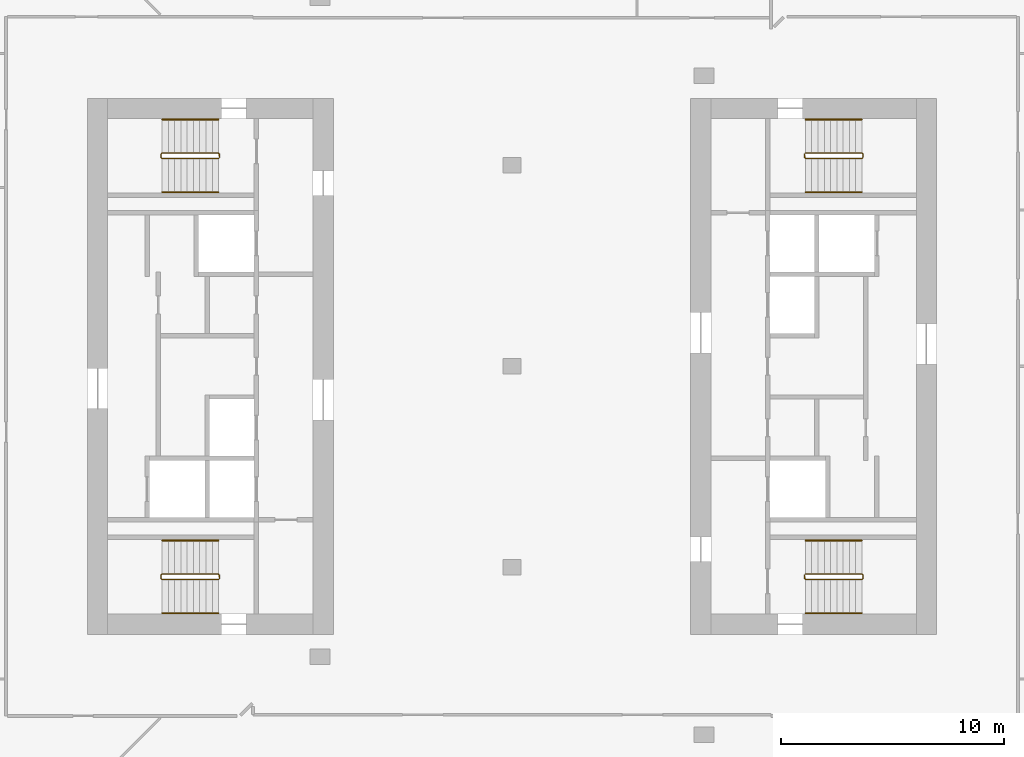
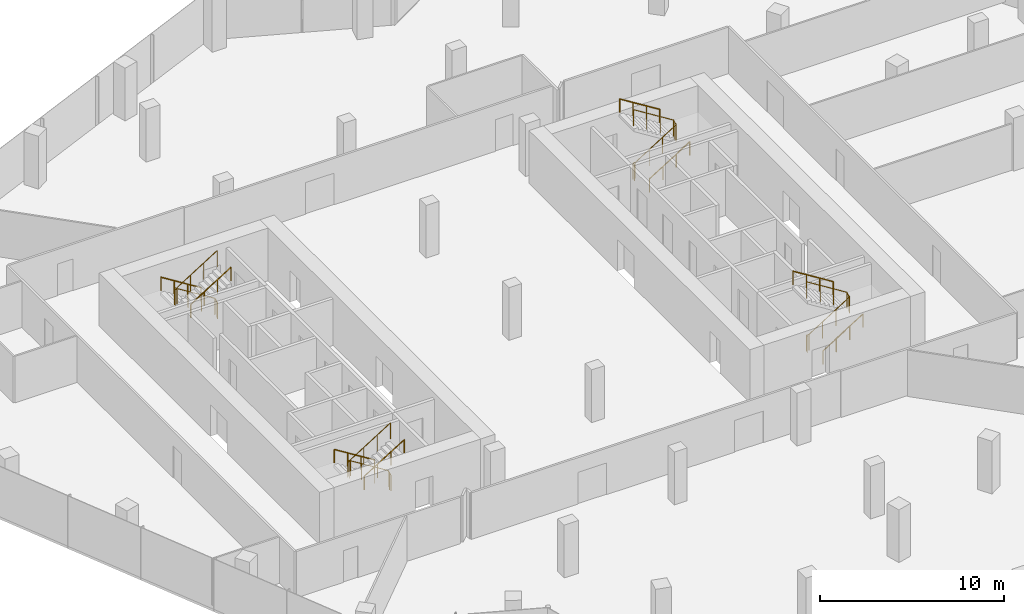
# One storey, part 15 of 15: 12 railings.
"""IFC4 building model written with IfcOpenShell, lengths in metres."""

from ifc_helpers import new_model, si_unit, direction, frame, origin, origin_2d, place, context, subcontext, project, spatial, circle, extrude, material, type_object, element, save


model = new_model("IFC4")

# Units and contexts
model_context = context("Model", 3, precision=1e-05, world=origin(), true_north=direction((0.0, 1.0)))
body_context = subcontext(model_context, "Body", "Model", "MODEL_VIEW")
ifc_project = project(units=[si_unit("LENGTHUNIT", "METRE"), si_unit("AREAUNIT", "SQUARE_METRE"), si_unit("VOLUMEUNIT", "CUBIC_METRE"), si_unit("PLANEANGLEUNIT", "RADIAN"), si_unit("MASSUNIT", "GRAM", prefix="KILO")], contexts=[model_context])

# Site, building, storey
site_placement = place(None, origin())
site = spatial("IfcSite", under=ifc_project, at=site_placement, CompositionType="ELEMENT")
building_placement = place(site_placement, origin())
building = spatial("IfcBuilding", under=site, at=building_placement, Name="Orlundy Tower", CompositionType="ELEMENT")
storey_placement = place(building_placement, frame((0.0, 0.0, 278.89990234375)))
storey = spatial("IfcBuildingStorey", under=building, at=storey_placement, Name="L74", CompositionType="ELEMENT", Elevation=278.89990234375)

# Railings
ifc_material_1 = material(Name="Steel balustrade", Category="steel")
railing_type_1 = type_object("IfcRailingType", Name="Stair Guard 1100", PredefinedType="GUARDRAIL", material=ifc_material_1)
railing_1_placement = place(storey_placement, frame((-13.090087890625, 9.5, 0.0)))
element("IfcRailing", 1, at=railing_1_placement, inside=storey, type_object=railing_type_1, Name="L74 ST-W1 stair guard 1", PredefinedType="GUARDRAIL", context=body_context, shape_type="SweptSolid", body=[
    extrude(circle(Radius=0.02392578125, at=origin_2d()), frame((0.0, 0.0, 1.076171875), z_axis=(0.0, -1.0, 0.0), x_axis=(1.0, 0.0, 0.0)), (0.0, 0.0, 1.0), 0.14990234375),
    extrude(circle(Radius=0.02392578125, at=origin_2d()), frame((0.0, -0.14990234375, 1.076171875), z_axis=(-0.18420542264, 0.739530593833, 0.647427882513), x_axis=(-0.970351222016, -0.241699205484, 0.0)), (0.0, 0.0, 1.0), 0.270263671875),
    extrude(circle(Radius=0.02392578125, at=origin_2d()), frame((-0.0498046875, 0.050048828125, 1.2509765625), z_axis=(-0.848007534815, 0.0, 0.529984170421), x_axis=(0.0, -1.0, 0.0)), (0.0, 0.0, 1.0), 2.9716796875),
    extrude(circle(Radius=0.02392578125, at=origin_2d()), frame((-2.56982421875, 0.050048828125, 2.826171875), z_axis=(-0.707106781187, -0.707106781187, 0.0), x_axis=(0.707106781187, -0.707106781187, 0.0)), (0.0, 0.0, 1.0), 0.07080078125),
    extrude(circle(Radius=0.02392578125, at=origin_2d()), frame((-2.619873046875, 0.0, 2.826171875), z_axis=(0.0, -1.0, 0.0), x_axis=(1.0, 0.0, 0.0)), (0.0, 0.0, 1.0), 0.14990234375),
    extrude(circle(Radius=0.02392578125, at=origin_2d()), frame((-2.619873046875, -0.14990234375, 2.826171875), z_axis=(0.265065253269, -0.265065253269, 0.927081885822), x_axis=(0.707106781187, 0.707106781187, 0.0)), (0.0, 0.0, 1.0), 0.188720703125),
    extrude(circle(Radius=0.02392578125, at=origin_2d()), frame((-2.56982421875, -0.199951171875, 3.0009765625), z_axis=(0.848007534815, 0.0, 0.529984170421), x_axis=(0.0, 1.0, 0.0)), (0.0, 0.0, 1.0), 2.9716796875),
    extrude(circle(Radius=0.02099609375, at=origin_2d()), origin(), (0.0, 0.0, 1.0), 1.052001953125),
    extrude(circle(Radius=0.02099609375, at=origin_2d()), frame((0.0, -0.14990234375, 0.0)), (0.0, 0.0, 1.0), 1.052001953125),
    extrude(circle(Radius=0.02099609375, at=origin_2d()), frame((-0.0498046875, 0.050048828125, 0.175048828125)), (0.0, 0.0, 1.0), 1.052001953125),
    extrude(circle(Radius=0.02099609375, at=origin_2d()), frame((-0.889892578125, 0.050048828125, 0.699951171875)), (0.0, 0.0, 1.0), 1.052001953125),
    extrude(circle(Radius=0.02099609375, at=origin_2d()), frame((-1.729736328125, 0.050048828125, 1.22509765625)), (0.0, 0.0, 1.0), 1.052001953125),
    extrude(circle(Radius=0.02099609375, at=origin_2d()), frame((-2.56982421875, 0.050048828125, 1.75)), (0.0, 0.0, 1.0), 1.052001953125),
    extrude(circle(Radius=0.02099609375, at=origin_2d()), frame((-2.619873046875, 0.0, 1.75)), (0.0, 0.0, 1.0), 1.052001953125),
    extrude(circle(Radius=0.02099609375, at=origin_2d()), frame((-2.619873046875, -0.14990234375, 1.75)), (0.0, 0.0, 1.0), 1.052001953125),
    extrude(circle(Radius=0.02099609375, at=origin_2d()), frame((-2.56982421875, -0.199951171875, 1.925048828125)), (0.0, 0.0, 1.0), 1.052001953125),
    extrude(circle(Radius=0.02099609375, at=origin_2d()), frame((-1.729736328125, -0.199951171875, 2.449951171875)), (0.0, 0.0, 1.0), 1.052001953125),
    extrude(circle(Radius=0.02099609375, at=origin_2d()), frame((-0.889892578125, -0.199951171875, 2.97509765625)), (0.0, 0.0, 1.0), 1.052001953125),
    extrude(circle(Radius=0.02099609375, at=origin_2d()), frame((-0.0498046875, -0.199951171875, 3.5)), (0.0, 0.0, 1.0), 1.052001953125),
])
railing_2_placement = place(storey_placement, frame((-13.090087890625, -9.35009765625, 0.0)))
element("IfcRailing", 2, at=railing_2_placement, inside=storey, type_object=railing_type_1, Name="L74 ST-W2 stair guard 1", PredefinedType="GUARDRAIL", context=body_context, shape_type="SweptSolid", body=[
    extrude(circle(Radius=0.02392578125, at=origin_2d()), frame((0.0, 0.0, 1.076171875), z_axis=(0.0, -1.0, 0.0), x_axis=(1.0, 0.0, 0.0)), (0.0, 0.0, 1.0), 0.14990234375),
    extrude(circle(Radius=0.02392578125, at=origin_2d()), frame((0.0, -0.14990234375, 1.076171875), z_axis=(-0.18420542264, 0.739530593833, 0.647427882513), x_axis=(-0.970351222016, -0.241699205484, 0.0)), (0.0, 0.0, 1.0), 0.270263671875),
    extrude(circle(Radius=0.02392578125, at=origin_2d()), frame((-0.0498046875, 0.050048828125, 1.2509765625), z_axis=(-0.848007534815, 0.0, 0.529984170421), x_axis=(0.0, -1.0, 0.0)), (0.0, 0.0, 1.0), 2.9716796875),
    extrude(circle(Radius=0.02392578125, at=origin_2d()), frame((-2.56982421875, 0.050048828125, 2.826171875), z_axis=(-0.707106781187, -0.707106781187, 0.0), x_axis=(0.707106781187, -0.707106781187, 0.0)), (0.0, 0.0, 1.0), 0.07080078125),
    extrude(circle(Radius=0.02392578125, at=origin_2d()), frame((-2.619873046875, 0.0, 2.826171875), z_axis=(0.0, -1.0, 0.0), x_axis=(1.0, 0.0, 0.0)), (0.0, 0.0, 1.0), 0.14990234375),
    extrude(circle(Radius=0.02392578125, at=origin_2d()), frame((-2.619873046875, -0.14990234375, 2.826171875), z_axis=(0.265065253269, -0.265065253269, 0.927081885822), x_axis=(0.707106781187, 0.707106781187, 0.0)), (0.0, 0.0, 1.0), 0.188720703125),
    extrude(circle(Radius=0.02392578125, at=origin_2d()), frame((-2.56982421875, -0.199951171875, 3.0009765625), z_axis=(0.848007534815, 0.0, 0.529984170421), x_axis=(0.0, 1.0, 0.0)), (0.0, 0.0, 1.0), 2.9716796875),
    extrude(circle(Radius=0.02099609375, at=origin_2d()), origin(), (0.0, 0.0, 1.0), 1.052001953125),
    extrude(circle(Radius=0.02099609375, at=origin_2d()), frame((0.0, -0.14990234375, 0.0)), (0.0, 0.0, 1.0), 1.052001953125),
    extrude(circle(Radius=0.02099609375, at=origin_2d()), frame((-0.0498046875, 0.050048828125, 0.175048828125)), (0.0, 0.0, 1.0), 1.052001953125),
    extrude(circle(Radius=0.02099609375, at=origin_2d()), frame((-0.889892578125, 0.050048828125, 0.699951171875)), (0.0, 0.0, 1.0), 1.052001953125),
    extrude(circle(Radius=0.02099609375, at=origin_2d()), frame((-1.729736328125, 0.050048828125, 1.22509765625)), (0.0, 0.0, 1.0), 1.052001953125),
    extrude(circle(Radius=0.02099609375, at=origin_2d()), frame((-2.56982421875, 0.050048828125, 1.75)), (0.0, 0.0, 1.0), 1.052001953125),
    extrude(circle(Radius=0.02099609375, at=origin_2d()), frame((-2.619873046875, 0.0, 1.75)), (0.0, 0.0, 1.0), 1.052001953125),
    extrude(circle(Radius=0.02099609375, at=origin_2d()), frame((-2.619873046875, -0.14990234375, 1.75)), (0.0, 0.0, 1.0), 1.052001953125),
    extrude(circle(Radius=0.02099609375, at=origin_2d()), frame((-2.56982421875, -0.199951171875, 1.925048828125)), (0.0, 0.0, 1.0), 1.052001953125),
    extrude(circle(Radius=0.02099609375, at=origin_2d()), frame((-1.729736328125, -0.199951171875, 2.449951171875)), (0.0, 0.0, 1.0), 1.052001953125),
    extrude(circle(Radius=0.02099609375, at=origin_2d()), frame((-0.889892578125, -0.199951171875, 2.97509765625)), (0.0, 0.0, 1.0), 1.052001953125),
    extrude(circle(Radius=0.02099609375, at=origin_2d()), frame((-0.0498046875, -0.199951171875, 3.5)), (0.0, 0.0, 1.0), 1.052001953125),
])
railing_3_placement = place(storey_placement, frame((13.090087890625, -9.5, 0.0)))
element("IfcRailing", 3, at=railing_3_placement, inside=storey, type_object=railing_type_1, Name="L74 ST-E1 stair guard 1", PredefinedType="GUARDRAIL", context=body_context, shape_type="SweptSolid", body=[
    extrude(circle(Radius=0.02392578125, at=origin_2d()), frame((0.0, 0.0, 1.076171875), z_axis=(0.0, 1.0, 0.0), x_axis=(-1.0, 0.0, 0.0)), (0.0, 0.0, 1.0), 0.14990234375),
    extrude(circle(Radius=0.02392578125, at=origin_2d()), frame((0.0, 0.14990234375, 1.076171875), z_axis=(0.18420542264, -0.739530593833, 0.647427882513), x_axis=(0.970351222016, 0.241699205484, 0.0)), (0.0, 0.0, 1.0), 0.270263671875),
    extrude(circle(Radius=0.02392578125, at=origin_2d()), frame((0.0498046875, -0.050048828125, 1.2509765625), z_axis=(0.848007534815, 0.0, 0.529984170421), x_axis=(0.0, 1.0, 0.0)), (0.0, 0.0, 1.0), 2.9716796875),
    extrude(circle(Radius=0.02392578125, at=origin_2d()), frame((2.56982421875, -0.050048828125, 2.826171875), z_axis=(0.707106781187, 0.707106781187, 0.0), x_axis=(-0.707106781187, 0.707106781187, 0.0)), (0.0, 0.0, 1.0), 0.07080078125),
    extrude(circle(Radius=0.02392578125, at=origin_2d()), frame((2.619873046875, 0.0, 2.826171875), z_axis=(0.0, 1.0, 0.0), x_axis=(-1.0, 0.0, 0.0)), (0.0, 0.0, 1.0), 0.14990234375),
    extrude(circle(Radius=0.02392578125, at=origin_2d()), frame((2.619873046875, 0.14990234375, 2.826171875), z_axis=(-0.265065253269, 0.265065253269, 0.927081885822), x_axis=(-0.707106781187, -0.707106781187, 0.0)), (0.0, 0.0, 1.0), 0.188720703125),
    extrude(circle(Radius=0.02392578125, at=origin_2d()), frame((2.56982421875, 0.199951171875, 3.0009765625), z_axis=(-0.848007534815, 0.0, 0.529984170421), x_axis=(0.0, -1.0, 0.0)), (0.0, 0.0, 1.0), 2.9716796875),
    extrude(circle(Radius=0.02099609375, at=origin_2d()), origin(), (0.0, 0.0, 1.0), 1.052001953125),
    extrude(circle(Radius=0.02099609375, at=origin_2d()), frame((0.0, 0.14990234375, 0.0)), (0.0, 0.0, 1.0), 1.052001953125),
    extrude(circle(Radius=0.02099609375, at=origin_2d()), frame((0.0498046875, -0.050048828125, 0.175048828125)), (0.0, 0.0, 1.0), 1.052001953125),
    extrude(circle(Radius=0.02099609375, at=origin_2d()), frame((0.889892578125, -0.050048828125, 0.699951171875)), (0.0, 0.0, 1.0), 1.052001953125),
    extrude(circle(Radius=0.02099609375, at=origin_2d()), frame((1.729736328125, -0.050048828125, 1.22509765625)), (0.0, 0.0, 1.0), 1.052001953125),
    extrude(circle(Radius=0.02099609375, at=origin_2d()), frame((2.56982421875, -0.050048828125, 1.75)), (0.0, 0.0, 1.0), 1.052001953125),
    extrude(circle(Radius=0.02099609375, at=origin_2d()), frame((2.619873046875, 0.0, 1.75)), (0.0, 0.0, 1.0), 1.052001953125),
    extrude(circle(Radius=0.02099609375, at=origin_2d()), frame((2.619873046875, 0.14990234375, 1.75)), (0.0, 0.0, 1.0), 1.052001953125),
    extrude(circle(Radius=0.02099609375, at=origin_2d()), frame((2.56982421875, 0.199951171875, 1.925048828125)), (0.0, 0.0, 1.0), 1.052001953125),
    extrude(circle(Radius=0.02099609375, at=origin_2d()), frame((1.729736328125, 0.199951171875, 2.449951171875)), (0.0, 0.0, 1.0), 1.052001953125),
    extrude(circle(Radius=0.02099609375, at=origin_2d()), frame((0.889892578125, 0.199951171875, 2.97509765625)), (0.0, 0.0, 1.0), 1.052001953125),
    extrude(circle(Radius=0.02099609375, at=origin_2d()), frame((0.0498046875, 0.199951171875, 3.5)), (0.0, 0.0, 1.0), 1.052001953125),
])
railing_4_placement = place(storey_placement, frame((13.090087890625, 9.35009765625, 0.0)))
element("IfcRailing", 4, at=railing_4_placement, inside=storey, type_object=railing_type_1, Name="L74 ST-E2 stair guard 1", PredefinedType="GUARDRAIL", context=body_context, shape_type="SweptSolid", body=[
    extrude(circle(Radius=0.02392578125, at=origin_2d()), frame((0.0, 0.0, 1.076171875), z_axis=(0.0, 1.0, 0.0), x_axis=(-1.0, 0.0, 0.0)), (0.0, 0.0, 1.0), 0.14990234375),
    extrude(circle(Radius=0.02392578125, at=origin_2d()), frame((0.0, 0.14990234375, 1.076171875), z_axis=(0.18420542264, -0.739530593833, 0.647427882513), x_axis=(0.970351222016, 0.241699205484, 0.0)), (0.0, 0.0, 1.0), 0.270263671875),
    extrude(circle(Radius=0.02392578125, at=origin_2d()), frame((0.0498046875, -0.050048828125, 1.2509765625), z_axis=(0.848007534815, 0.0, 0.529984170421), x_axis=(0.0, 1.0, 0.0)), (0.0, 0.0, 1.0), 2.9716796875),
    extrude(circle(Radius=0.02392578125, at=origin_2d()), frame((2.56982421875, -0.050048828125, 2.826171875), z_axis=(0.707106781187, 0.707106781187, 0.0), x_axis=(-0.707106781187, 0.707106781187, 0.0)), (0.0, 0.0, 1.0), 0.07080078125),
    extrude(circle(Radius=0.02392578125, at=origin_2d()), frame((2.619873046875, 0.0, 2.826171875), z_axis=(0.0, 1.0, 0.0), x_axis=(-1.0, 0.0, 0.0)), (0.0, 0.0, 1.0), 0.14990234375),
    extrude(circle(Radius=0.02392578125, at=origin_2d()), frame((2.619873046875, 0.14990234375, 2.826171875), z_axis=(-0.265065253269, 0.265065253269, 0.927081885822), x_axis=(-0.707106781187, -0.707106781187, 0.0)), (0.0, 0.0, 1.0), 0.188720703125),
    extrude(circle(Radius=0.02392578125, at=origin_2d()), frame((2.56982421875, 0.199951171875, 3.0009765625), z_axis=(-0.848007534815, 0.0, 0.529984170421), x_axis=(0.0, -1.0, 0.0)), (0.0, 0.0, 1.0), 2.9716796875),
    extrude(circle(Radius=0.02099609375, at=origin_2d()), origin(), (0.0, 0.0, 1.0), 1.052001953125),
    extrude(circle(Radius=0.02099609375, at=origin_2d()), frame((0.0, 0.14990234375, 0.0)), (0.0, 0.0, 1.0), 1.052001953125),
    extrude(circle(Radius=0.02099609375, at=origin_2d()), frame((0.0498046875, -0.050048828125, 0.175048828125)), (0.0, 0.0, 1.0), 1.052001953125),
    extrude(circle(Radius=0.02099609375, at=origin_2d()), frame((0.889892578125, -0.050048828125, 0.699951171875)), (0.0, 0.0, 1.0), 1.052001953125),
    extrude(circle(Radius=0.02099609375, at=origin_2d()), frame((1.729736328125, -0.050048828125, 1.22509765625)), (0.0, 0.0, 1.0), 1.052001953125),
    extrude(circle(Radius=0.02099609375, at=origin_2d()), frame((2.56982421875, -0.050048828125, 1.75)), (0.0, 0.0, 1.0), 1.052001953125),
    extrude(circle(Radius=0.02099609375, at=origin_2d()), frame((2.619873046875, 0.0, 1.75)), (0.0, 0.0, 1.0), 1.052001953125),
    extrude(circle(Radius=0.02099609375, at=origin_2d()), frame((2.619873046875, 0.14990234375, 1.75)), (0.0, 0.0, 1.0), 1.052001953125),
    extrude(circle(Radius=0.02099609375, at=origin_2d()), frame((2.56982421875, 0.199951171875, 1.925048828125)), (0.0, 0.0, 1.0), 1.052001953125),
    extrude(circle(Radius=0.02099609375, at=origin_2d()), frame((1.729736328125, 0.199951171875, 2.449951171875)), (0.0, 0.0, 1.0), 1.052001953125),
    extrude(circle(Radius=0.02099609375, at=origin_2d()), frame((0.889892578125, 0.199951171875, 2.97509765625)), (0.0, 0.0, 1.0), 1.052001953125),
    extrude(circle(Radius=0.02099609375, at=origin_2d()), frame((0.0498046875, 0.199951171875, 3.5)), (0.0, 0.0, 1.0), 1.052001953125),
])
ifc_material_2 = material(Name="Steel handrail", Category="steel")
railing_type_2 = type_object("IfcRailingType", Name="Stair Handrail 900", PredefinedType="HANDRAIL", material=ifc_material_2)
railing_5_placement = place(storey_placement, frame((-13.139892578125, 11.050048828125, 0.175048828125)))
element("IfcRailing", 5, at=railing_5_placement, inside=storey, type_object=railing_type_2, Name="L74 ST-W1 stair handrail 1", PredefinedType="HANDRAIL", context=body_context, shape_type="SweptSolid", body=[
    extrude(circle(Radius=0.02392578125, at=origin_2d()), frame((0.0, 0.0, 0.8759765625), z_axis=(-0.848007534815, 0.0, 0.529984170421), x_axis=(0.0, -1.0, 0.0)), (0.0, 0.0, 1.0), 2.9716796875),
    extrude(circle(Radius=0.02099609375, at=origin_2d()), origin(), (0.0, 0.0, 1.0), 0.851806640625),
    extrude(circle(Radius=0.02099609375, at=origin_2d()), frame((-0.840087890625, 0.0, 0.52490234375)), (0.0, 0.0, 1.0), 0.851806640625),
    extrude(circle(Radius=0.02099609375, at=origin_2d()), frame((-1.679931640625, 0.0, 1.050048828125)), (0.0, 0.0, 1.0), 0.851806640625),
    extrude(circle(Radius=0.02099609375, at=origin_2d()), frame((-2.52001953125, 0.0, 1.574951171875)), (0.0, 0.0, 1.0), 0.851806640625),
])
railing_6_placement = place(storey_placement, frame((-15.659912109375, 7.800048828125, 1.925048828125)))
element("IfcRailing", 6, at=railing_6_placement, inside=storey, type_object=railing_type_2, Name="L74 ST-W1 stair handrail 2", PredefinedType="HANDRAIL", context=body_context, shape_type="SweptSolid", body=[
    extrude(circle(Radius=0.02392578125, at=origin_2d()), frame((0.0, 0.0, 0.8759765625), z_axis=(0.848007534815, 0.0, 0.529984170421), x_axis=(0.0, 1.0, 0.0)), (0.0, 0.0, 1.0), 2.9716796875),
    extrude(circle(Radius=0.02099609375, at=origin_2d()), origin(), (0.0, 0.0, 1.0), 0.851806640625),
    extrude(circle(Radius=0.02099609375, at=origin_2d()), frame((0.840087890625, 0.0, 0.52490234375)), (0.0, 0.0, 1.0), 0.851806640625),
    extrude(circle(Radius=0.02099609375, at=origin_2d()), frame((1.679931640625, 0.0, 1.050048828125)), (0.0, 0.0, 1.0), 0.851806640625),
    extrude(circle(Radius=0.02099609375, at=origin_2d()), frame((2.52001953125, 0.0, 1.574951171875)), (0.0, 0.0, 1.0), 0.851806640625),
])
railing_7_placement = place(storey_placement, frame((-13.139892578125, -7.800048828125, 0.175048828125)))
element("IfcRailing", 7, at=railing_7_placement, inside=storey, type_object=railing_type_2, Name="L74 ST-W2 stair handrail 1", PredefinedType="HANDRAIL", context=body_context, shape_type="SweptSolid", body=[
    extrude(circle(Radius=0.02392578125, at=origin_2d()), frame((0.0, 0.0, 0.8759765625), z_axis=(-0.848007534815, 0.0, 0.529984170421), x_axis=(0.0, -1.0, 0.0)), (0.0, 0.0, 1.0), 2.9716796875),
    extrude(circle(Radius=0.02099609375, at=origin_2d()), origin(), (0.0, 0.0, 1.0), 0.851806640625),
    extrude(circle(Radius=0.02099609375, at=origin_2d()), frame((-0.840087890625, 0.0, 0.52490234375)), (0.0, 0.0, 1.0), 0.851806640625),
    extrude(circle(Radius=0.02099609375, at=origin_2d()), frame((-1.679931640625, 0.0, 1.050048828125)), (0.0, 0.0, 1.0), 0.851806640625),
    extrude(circle(Radius=0.02099609375, at=origin_2d()), frame((-2.52001953125, 0.0, 1.574951171875)), (0.0, 0.0, 1.0), 0.851806640625),
])
for number, where, name in (
    (8, (-15.659912109375, -11.050048828125, 1.925048828125), "L74 ST-W2 stair handrail 2"),
    (9, (13.139892578125, -11.050048828125, 0.175048828125), "L74 ST-E1 stair handrail 1"),
):
    element("IfcRailing", number, at=place(storey_placement, frame(where)), inside=storey, type_object=railing_type_2, Name=name, PredefinedType="HANDRAIL", context=body_context, shape_type="SweptSolid", body=[
        extrude(circle(Radius=0.02392578125, at=origin_2d()), frame((0.0, 0.0, 0.8759765625), z_axis=(0.848007534815, 0.0, 0.529984170421), x_axis=(0.0, 1.0, 0.0)), (0.0, 0.0, 1.0), 2.9716796875),
        extrude(circle(Radius=0.02099609375, at=origin_2d()), origin(), (0.0, 0.0, 1.0), 0.851806640625),
        extrude(circle(Radius=0.02099609375, at=origin_2d()), frame((0.840087890625, 0.0, 0.52490234375)), (0.0, 0.0, 1.0), 0.851806640625),
        extrude(circle(Radius=0.02099609375, at=origin_2d()), frame((1.679931640625, 0.0, 1.050048828125)), (0.0, 0.0, 1.0), 0.851806640625),
        extrude(circle(Radius=0.02099609375, at=origin_2d()), frame((2.52001953125, 0.0, 1.574951171875)), (0.0, 0.0, 1.0), 0.851806640625),
    ])
railing_8_placement = place(storey_placement, frame((15.659912109375, -7.800048828125, 1.925048828125)))
element("IfcRailing", 10, at=railing_8_placement, inside=storey, type_object=railing_type_2, Name="L74 ST-E1 stair handrail 2", PredefinedType="HANDRAIL", context=body_context, shape_type="SweptSolid", body=[
    extrude(circle(Radius=0.02392578125, at=origin_2d()), frame((0.0, 0.0, 0.8759765625), z_axis=(-0.848007534815, 0.0, 0.529984170421), x_axis=(0.0, -1.0, 0.0)), (0.0, 0.0, 1.0), 2.9716796875),
    extrude(circle(Radius=0.02099609375, at=origin_2d()), origin(), (0.0, 0.0, 1.0), 0.851806640625),
    extrude(circle(Radius=0.02099609375, at=origin_2d()), frame((-0.840087890625, 0.0, 0.52490234375)), (0.0, 0.0, 1.0), 0.851806640625),
    extrude(circle(Radius=0.02099609375, at=origin_2d()), frame((-1.679931640625, 0.0, 1.050048828125)), (0.0, 0.0, 1.0), 0.851806640625),
    extrude(circle(Radius=0.02099609375, at=origin_2d()), frame((-2.52001953125, 0.0, 1.574951171875)), (0.0, 0.0, 1.0), 0.851806640625),
])
railing_9_placement = place(storey_placement, frame((13.139892578125, 7.800048828125, 0.175048828125)))
element("IfcRailing", 11, at=railing_9_placement, inside=storey, type_object=railing_type_2, Name="L74 ST-E2 stair handrail 1", PredefinedType="HANDRAIL", context=body_context, shape_type="SweptSolid", body=[
    extrude(circle(Radius=0.02392578125, at=origin_2d()), frame((0.0, 0.0, 0.8759765625), z_axis=(0.848007534815, 0.0, 0.529984170421), x_axis=(0.0, 1.0, 0.0)), (0.0, 0.0, 1.0), 2.9716796875),
    extrude(circle(Radius=0.02099609375, at=origin_2d()), origin(), (0.0, 0.0, 1.0), 0.851806640625),
    extrude(circle(Radius=0.02099609375, at=origin_2d()), frame((0.840087890625, 0.0, 0.52490234375)), (0.0, 0.0, 1.0), 0.851806640625),
    extrude(circle(Radius=0.02099609375, at=origin_2d()), frame((1.679931640625, 0.0, 1.050048828125)), (0.0, 0.0, 1.0), 0.851806640625),
    extrude(circle(Radius=0.02099609375, at=origin_2d()), frame((2.52001953125, 0.0, 1.574951171875)), (0.0, 0.0, 1.0), 0.851806640625),
])
railing_10_placement = place(storey_placement, frame((15.659912109375, 11.050048828125, 1.925048828125)))
element("IfcRailing", 12, at=railing_10_placement, inside=storey, type_object=railing_type_2, Name="L74 ST-E2 stair handrail 2", PredefinedType="HANDRAIL", context=body_context, shape_type="SweptSolid", body=[
    extrude(circle(Radius=0.02392578125, at=origin_2d()), frame((0.0, 0.0, 0.8759765625), z_axis=(-0.848007534815, 0.0, 0.529984170421), x_axis=(0.0, -1.0, 0.0)), (0.0, 0.0, 1.0), 2.9716796875),
    extrude(circle(Radius=0.02099609375, at=origin_2d()), origin(), (0.0, 0.0, 1.0), 0.851806640625),
    extrude(circle(Radius=0.02099609375, at=origin_2d()), frame((-0.840087890625, 0.0, 0.52490234375)), (0.0, 0.0, 1.0), 0.851806640625),
    extrude(circle(Radius=0.02099609375, at=origin_2d()), frame((-1.679931640625, 0.0, 1.050048828125)), (0.0, 0.0, 1.0), 0.851806640625),
    extrude(circle(Radius=0.02099609375, at=origin_2d()), frame((-2.52001953125, 0.0, 1.574951171875)), (0.0, 0.0, 1.0), 0.851806640625),
])

save(model, "model.ifc")
